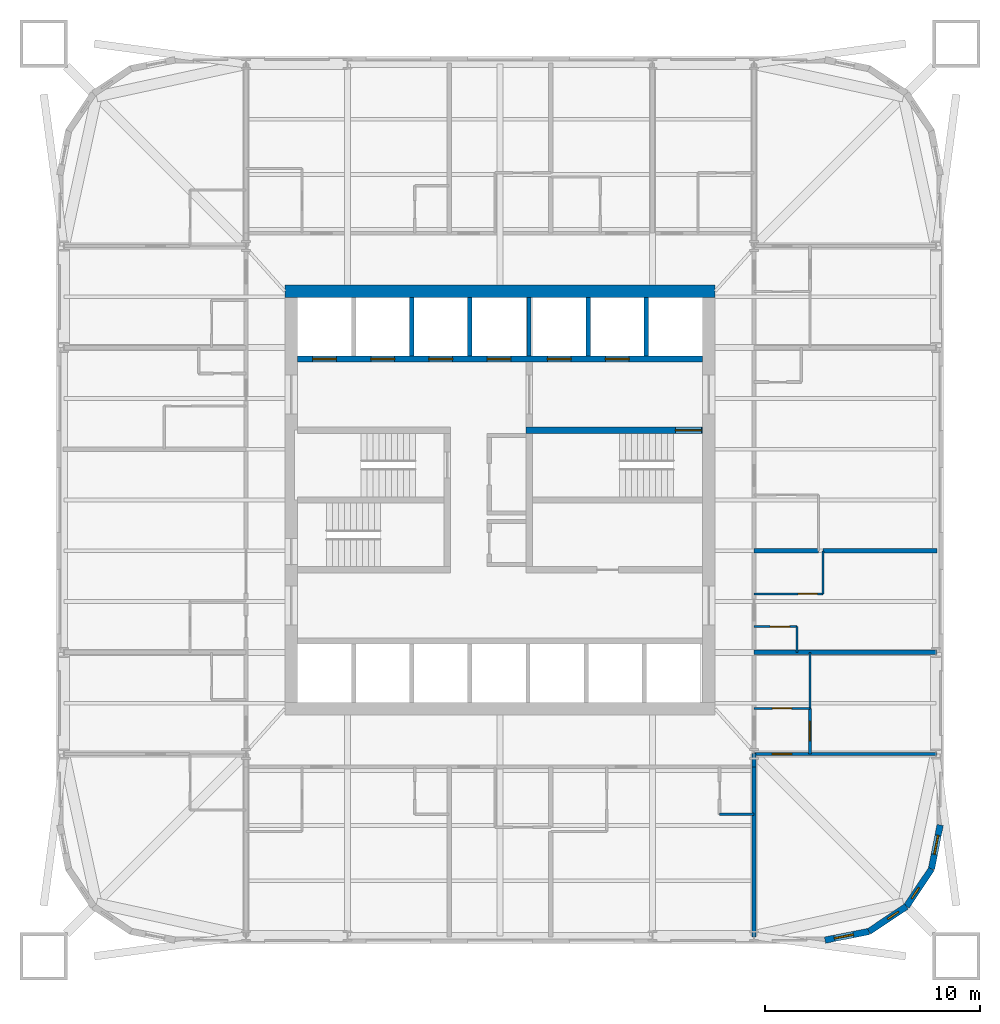
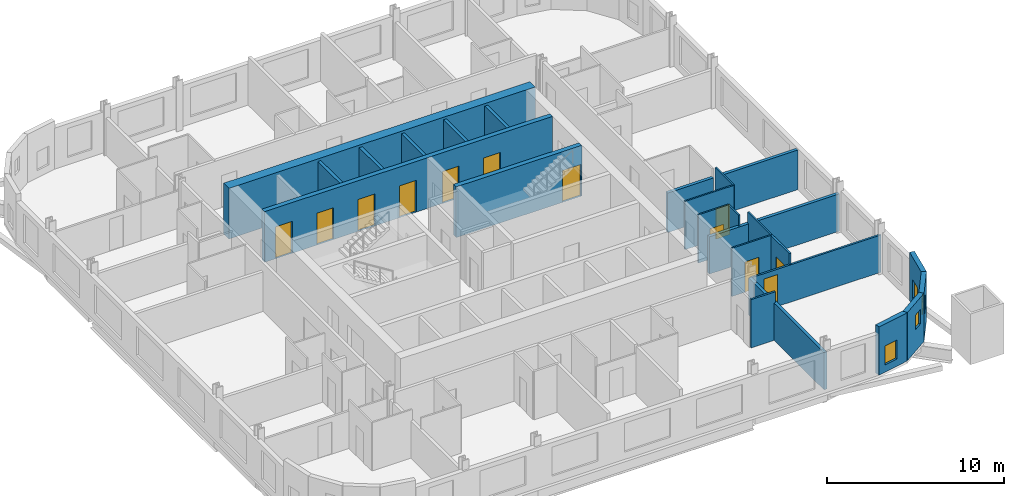
# One storey, part 5 of 9: 26 walls, 12 doors, 4 windows, 16 openings.
"""IFC4 building model written with IfcOpenShell, lengths in metres."""

from ifc_helpers import new_model, si_unit, direction, frame, frame_2d, origin, place, context, subcontext, project, spatial, rectangle, extrude, material, layer, layer_set, type_object, element, fill, save


model = new_model("IFC4")

# Units and contexts
model_context = context("Model", 3, precision=1e-05, world=origin(), true_north=direction((0.0, 1.0)))
body_context = subcontext(model_context, "Body", "Model", "MODEL_VIEW")
ifc_project = project(units=[si_unit("LENGTHUNIT", "METRE"), si_unit("AREAUNIT", "SQUARE_METRE"), si_unit("VOLUMEUNIT", "CUBIC_METRE"), si_unit("PLANEANGLEUNIT", "RADIAN"), si_unit("MASSUNIT", "GRAM", prefix="KILO")], contexts=[model_context])

# Site, building, storey
site_placement = place(None, origin())
site = spatial("IfcSite", under=ifc_project, at=site_placement, CompositionType="ELEMENT")
building_placement = place(site_placement, origin())
building = spatial("IfcBuilding", under=site, at=building_placement, Name="Turquesa Mirador Hotel Tower", CompositionType="ELEMENT")
storey_placement = place(building_placement, frame((0.0, 0.0, 96.89990234375)))
storey = spatial("IfcBuildingStorey", under=building, at=storey_placement, Name="L25", CompositionType="ELEMENT", Elevation=96.89990234375)

# Wall, opening, door
ifc_material_1 = material(Name="Gypsum board on steel studs", Category="steel")
ifc_layer_1 = layer(ifc_material_1, 0.10009765625)
ifc_layer_set_1 = layer_set([ifc_layer_1], Name="BATHROOM WALL 100")
wall_type_1 = type_object("IfcWallType", Name="BATHROOM WALL 100", PredefinedType="PARTITIONING", material=ifc_layer_set_1)
wall_1_placement = place(storey_placement, frame((66.800048828125, 40.639892578125, 0.0), z_axis=(0.0, 0.0, 1.0), x_axis=(1.0, 0.0, 0.0)))
wall_1 = element("IfcWall", 1, at=wall_1_placement, inside=storey, type_object=wall_type_1, Name="Partition L25 013", PredefinedType="PARTITIONING", context=body_context, shape_type="SweptSolid", body=[
    extrude(rectangle(XDim=3.199951171875, YDim=0.10009765625, at=frame_2d((1.60009765625, 0.0))), origin(), (0.0, 0.0, 1.0), 3.330078125),
])
opening_1_placement = place(wall_1_placement, frame((2.050048828125, 0.0, 0.0)))
opening_1 = element("IfcOpeningElement", 2, at=opening_1_placement, cuts=wall_1, Name="Opening D02", PredefinedType="OPENING", context=body_context, shape_type="SweptSolid", body=[
    extrude(rectangle(XDim=0.89990234375, YDim=2.10009765625, at=frame_2d((0.449951171875, 1.050048828125))), frame((0.0, 0.06005859375, 0.0), z_axis=(0.0, -1.0, 0.0), x_axis=(1.0, 0.0, 0.0)), (0.0, 0.0, 1.0), 0.1201171875),
])
ifc_material_2 = material(Name="Timber veneered door", Category="wood")
door_type_1 = type_object("IfcDoorType", Name="DOOR 900X2100 EN-SUITE", OperationType="SINGLE_SWING_RIGHT", PredefinedType="DOOR", material=ifc_material_2)
door_1_placement = place(opening_1_placement, origin())
door_1 = element("IfcDoor", 3, at=door_1_placement, inside=storey, type_object=door_type_1, Name="Door 2508B", OperationType="SINGLE_SWING_RIGHT", OverallHeight=2.10009765625, OverallWidth=0.89990234375, PredefinedType="DOOR", context=body_context, shape_type="SweptSolid", body=[
    extrude(rectangle(XDim=0.89990234375, YDim=2.10009765625, at=frame_2d((0.449951171875, 1.050048828125))), frame((0.0, 0.02490234375, 0.0), z_axis=(0.0, -1.0, 0.0), x_axis=(1.0, 0.0, 0.0)), (0.0, 0.0, 1.0), 0.050048828125),
])
fill(opening_1, door_1)

wall_2_placement = place(storey_placement, frame((66.800048828125, 39.1201171875, 0.0), z_axis=(0.0, 0.0, 1.0), x_axis=(1.0, 0.0, 0.0)))
wall_2 = element("IfcWall", 4, at=wall_2_placement, inside=storey, type_object=wall_type_1, Name="Partition L25 015", PredefinedType="PARTITIONING", context=body_context, shape_type="SweptSolid", body=[
    extrude(rectangle(XDim=2.0, YDim=0.10009765625, at=frame_2d((1.0, 0.0))), origin(), (0.0, 0.0, 1.0), 3.330078125),
])
opening_2_placement = place(wall_2_placement, frame((0.75, 0.0, 0.0)))
opening_2 = element("IfcOpeningElement", 5, at=opening_2_placement, cuts=wall_2, Name="Opening D06", PredefinedType="OPENING", context=body_context, shape_type="SweptSolid", body=[
    extrude(rectangle(XDim=0.89990234375, YDim=2.10009765625, at=frame_2d((0.449951171875, 1.050048828125))), frame((0.0, 0.06005859375, 0.0), z_axis=(0.0, -1.0, 0.0), x_axis=(1.0, 0.0, 0.0)), (0.0, 0.0, 1.0), 0.1201171875),
])
ifc_material_3 = material(Name="Laminate door", Category="wood")
door_type_2 = type_object("IfcDoorType", Name="DOOR 900X2100 WC", OperationType="SINGLE_SWING_LEFT", PredefinedType="DOOR", material=ifc_material_3)
door_2_placement = place(opening_2_placement, origin())
door_2 = element("IfcDoor", 6, at=door_2_placement, inside=storey, type_object=door_type_2, Name="Door 2508W", OperationType="SINGLE_SWING_LEFT", OverallHeight=2.10009765625, OverallWidth=0.89990234375, PredefinedType="DOOR", context=body_context, shape_type="SweptSolid", body=[
    extrude(rectangle(XDim=0.89990234375, YDim=2.10009765625, at=frame_2d((0.449951171875, 1.050048828125))), frame((0.0, 0.02490234375, 0.0), z_axis=(0.0, -1.0, 0.0), x_axis=(1.0, 0.0, 0.0)), (0.0, 0.0, 1.0), 0.050048828125),
])
fill(opening_2, door_2)

wall_3_placement = place(storey_placement, frame((66.800048828125, 35.320068359375, 0.0), z_axis=(0.0, 0.0, 1.0), x_axis=(1.0, 0.0, 0.0)))
wall_3 = element("IfcWall", 7, at=wall_3_placement, inside=storey, type_object=wall_type_1, Name="Partition L25 019", PredefinedType="PARTITIONING", context=body_context, shape_type="SweptSolid", body=[
    extrude(rectangle(XDim=2.599853515625, YDim=0.10009765625, at=frame_2d((1.2998046875, 0.0))), origin(), (0.0, 0.0, 1.0), 3.330078125),
])
opening_3_placement = place(wall_3_placement, frame((0.85009765625, 0.0, 0.0)))
opening_3 = element("IfcOpeningElement", 8, at=opening_3_placement, cuts=wall_3, Name="Opening D02", PredefinedType="OPENING", context=body_context, shape_type="SweptSolid", body=[
    extrude(rectangle(XDim=0.89990234375, YDim=2.10009765625, at=frame_2d((0.449951171875, 1.050048828125))), frame((0.0, 0.06005859375, 0.0), z_axis=(0.0, -1.0, 0.0), x_axis=(1.0, 0.0, 0.0)), (0.0, 0.0, 1.0), 0.1201171875),
])
door_3_placement = place(opening_3_placement, origin())
door_3 = element("IfcDoor", 9, at=door_3_placement, inside=storey, type_object=door_type_1, Name="Door 2514B", OperationType="SINGLE_SWING_RIGHT", OverallHeight=2.10009765625, OverallWidth=0.89990234375, PredefinedType="DOOR", context=body_context, shape_type="SweptSolid", body=[
    extrude(rectangle(XDim=0.89990234375, YDim=2.10009765625, at=frame_2d((0.449951171875, 1.050048828125))), frame((0.0, 0.02490234375, 0.0), z_axis=(0.0, -1.0, 0.0), x_axis=(1.0, 0.0, 0.0)), (0.0, 0.0, 1.0), 0.050048828125),
])
fill(opening_3, door_3)

# Walls
wall_4_placement = place(storey_placement, frame((68.800048828125, 37.919921875, 0.0), z_axis=(0.0, 0.0, 1.0), x_axis=(0.0, 1.0, 0.0)))
element("IfcWall", 10, at=wall_4_placement, inside=storey, type_object=wall_type_1, Name="Partition L25 061", PredefinedType="PARTITIONING", context=body_context, shape_type="SweptSolid", body=[
    extrude(rectangle(XDim=1.2001953125, YDim=0.10009765625, at=frame_2d((0.60009765625, 0.0))), origin(), (0.0, 0.0, 1.0), 3.330078125),
])
wall_5_placement = place(storey_placement, frame((69.39990234375, 35.320068359375, 0.0), z_axis=(0.0, 0.0, 1.0), x_axis=(0.0, 1.0, 0.0)))
element("IfcWall", 11, at=wall_5_placement, inside=storey, type_object=wall_type_1, Name="Partition L25 063", PredefinedType="PARTITIONING", context=body_context, shape_type="SweptSolid", body=[
    extrude(rectangle(XDim=2.599853515625, YDim=0.10009765625, at=frame_2d((1.2998046875, 0.0))), origin(), (0.0, 0.0, 1.0), 3.330078125),
])
wall_6_placement = place(storey_placement, frame((70.0, 40.639892578125, 0.0), z_axis=(0.0, 0.0, 1.0), x_axis=(0.0, 1.0, 0.0)))
element("IfcWall", 12, at=wall_6_placement, inside=storey, type_object=wall_type_1, Name="Partition L25 068", PredefinedType="PARTITIONING", context=body_context, shape_type="SweptSolid", body=[
    extrude(rectangle(XDim=2.0, YDim=0.10009765625, at=frame_2d((1.0, 0.0))), origin(), (0.0, 0.0, 1.0), 3.330078125),
])

# Wall, openings, doors
ifc_material_4 = material(Name="Concrete C50/60", Category="concrete")
ifc_layer_2 = layer(ifc_material_4, 0.300048828125)
ifc_layer_set_2 = layer_set([ifc_layer_2], Name="CORE INNER WALL 300")
wall_type_2 = type_object("IfcWallType", Name="CORE INNER WALL 300", PredefinedType="SHEAR", material=ifc_layer_set_2)
wall_7_placement = place(storey_placement, frame((45.60009765625, 51.550048828125, 0.0), z_axis=(0.0, 0.0, 1.0), x_axis=(1.0, 0.0, 0.0)))
wall_7 = element("IfcWall", 13, at=wall_7_placement, inside=storey, type_object=wall_type_2, Name="Core wall NL", PredefinedType="SHEAR", context=body_context, shape_type="SweptSolid", body=[
    extrude(rectangle(XDim=18.7998046875, YDim=0.300048828125, at=frame_2d((9.39990234375, 0.0))), origin(), (0.0, 0.0, 1.0), 3.5),
])
opening_4_placement = place(wall_7_placement, frame((0.699951171875, 0.0, 0.0)))
opening_4 = element("IfcOpeningElement", 14, at=opening_4_placement, cuts=wall_7, Name="Opening LD", PredefinedType="OPENING", context=body_context, shape_type="SweptSolid", body=[
    extrude(rectangle(XDim=1.10009765625, YDim=2.199951171875, at=frame_2d((0.550048828125, 1.10009765625))), frame((0.0, 0.159912109375, 0.0), z_axis=(0.0, -1.0, 0.0), x_axis=(1.0, 0.0, 0.0)), (0.0, 0.0, 1.0), 0.320068359375),
])
opening_5_placement = place(wall_7_placement, frame((3.39990234375, 0.0, 0.0)))
opening_5 = element("IfcOpeningElement", 15, at=opening_5_placement, cuts=wall_7, Name="Opening LD", PredefinedType="OPENING", context=body_context, shape_type="SweptSolid", body=[
    extrude(rectangle(XDim=1.10009765625, YDim=2.199951171875, at=frame_2d((0.550048828125, 1.10009765625))), frame((0.0, 0.159912109375, 0.0), z_axis=(0.0, -1.0, 0.0), x_axis=(1.0, 0.0, 0.0)), (0.0, 0.0, 1.0), 0.320068359375),
])
opening_6_placement = place(wall_7_placement, frame((6.10009765625, 0.0, 0.0)))
opening_6 = element("IfcOpeningElement", 16, at=opening_6_placement, cuts=wall_7, Name="Opening LD", PredefinedType="OPENING", context=body_context, shape_type="SweptSolid", body=[
    extrude(rectangle(XDim=1.10009765625, YDim=2.199951171875, at=frame_2d((0.550048828125, 1.10009765625))), frame((0.0, 0.159912109375, 0.0), z_axis=(0.0, -1.0, 0.0), x_axis=(1.0, 0.0, 0.0)), (0.0, 0.0, 1.0), 0.320068359375),
])
opening_7_placement = place(wall_7_placement, frame((8.800048828125, 0.0, 0.0)))
opening_7 = element("IfcOpeningElement", 17, at=opening_7_placement, cuts=wall_7, Name="Opening LD", PredefinedType="OPENING", context=body_context, shape_type="SweptSolid", body=[
    extrude(rectangle(XDim=1.10009765625, YDim=2.199951171875, at=frame_2d((0.550048828125, 1.10009765625))), frame((0.0, 0.159912109375, 0.0), z_axis=(0.0, -1.0, 0.0), x_axis=(1.0, 0.0, 0.0)), (0.0, 0.0, 1.0), 0.320068359375),
])
opening_8_placement = place(wall_7_placement, frame((11.60009765625, 0.0, 0.0)))
opening_8 = element("IfcOpeningElement", 18, at=opening_8_placement, cuts=wall_7, Name="Opening LD", PredefinedType="OPENING", context=body_context, shape_type="SweptSolid", body=[
    extrude(rectangle(XDim=1.10009765625, YDim=2.199951171875, at=frame_2d((0.550048828125, 1.10009765625))), frame((0.0, 0.159912109375, 0.0), z_axis=(0.0, -1.0, 0.0), x_axis=(1.0, 0.0, 0.0)), (0.0, 0.0, 1.0), 0.320068359375),
])
opening_9_placement = place(wall_7_placement, frame((14.300048828125, 0.0, 0.0)))
opening_9 = element("IfcOpeningElement", 19, at=opening_9_placement, cuts=wall_7, Name="Opening LD", PredefinedType="OPENING", context=body_context, shape_type="SweptSolid", body=[
    extrude(rectangle(XDim=1.10009765625, YDim=2.199951171875, at=frame_2d((0.550048828125, 1.10009765625))), frame((0.0, 0.159912109375, 0.0), z_axis=(0.0, -1.0, 0.0), x_axis=(1.0, 0.0, 0.0)), (0.0, 0.0, 1.0), 0.320068359375),
])
ifc_material_5 = material(Name="Stainless steel lift landing door", Category="steel")
door_type_3 = type_object("IfcDoorType", Name="LIFT LANDING DOOR 1100X2200", OperationType="SLIDING_TO_LEFT", PredefinedType="DOOR", material=ifc_material_5)
door_4_placement = place(opening_4_placement, origin())
door_4 = element("IfcDoor", 20, at=door_4_placement, inside=storey, type_object=door_type_3, Name="Lift A1 landing door", OperationType="SLIDING_TO_LEFT", OverallHeight=2.199951171875, OverallWidth=1.10009765625, PredefinedType="DOOR", context=body_context, shape_type="SweptSolid", body=[
    extrude(rectangle(XDim=1.10009765625, YDim=2.199951171875, at=frame_2d((0.550048828125, 1.10009765625))), frame((0.0, 0.02490234375, 0.0), z_axis=(0.0, -1.0, 0.0), x_axis=(1.0, 0.0, 0.0)), (0.0, 0.0, 1.0), 0.050048828125),
])
fill(opening_4, door_4)
door_5_placement = place(opening_5_placement, origin())
door_5 = element("IfcDoor", 21, at=door_5_placement, inside=storey, type_object=door_type_3, Name="Lift A2 landing door", OperationType="SLIDING_TO_LEFT", OverallHeight=2.199951171875, OverallWidth=1.10009765625, PredefinedType="DOOR", context=body_context, shape_type="SweptSolid", body=[
    extrude(rectangle(XDim=1.10009765625, YDim=2.199951171875, at=frame_2d((0.550048828125, 1.10009765625))), frame((0.0, 0.02490234375, 0.0), z_axis=(0.0, -1.0, 0.0), x_axis=(1.0, 0.0, 0.0)), (0.0, 0.0, 1.0), 0.050048828125),
])
fill(opening_5, door_5)
door_6_placement = place(opening_6_placement, origin())
door_6 = element("IfcDoor", 22, at=door_6_placement, inside=storey, type_object=door_type_3, Name="Lift A3 landing door", OperationType="SLIDING_TO_LEFT", OverallHeight=2.199951171875, OverallWidth=1.10009765625, PredefinedType="DOOR", context=body_context, shape_type="SweptSolid", body=[
    extrude(rectangle(XDim=1.10009765625, YDim=2.199951171875, at=frame_2d((0.550048828125, 1.10009765625))), frame((0.0, 0.02490234375, 0.0), z_axis=(0.0, -1.0, 0.0), x_axis=(1.0, 0.0, 0.0)), (0.0, 0.0, 1.0), 0.050048828125),
])
fill(opening_6, door_6)
door_7_placement = place(opening_7_placement, origin())
door_7 = element("IfcDoor", 23, at=door_7_placement, inside=storey, type_object=door_type_3, Name="Lift A4 landing door", OperationType="SLIDING_TO_LEFT", OverallHeight=2.199951171875, OverallWidth=1.10009765625, PredefinedType="DOOR", context=body_context, shape_type="SweptSolid", body=[
    extrude(rectangle(XDim=1.10009765625, YDim=2.199951171875, at=frame_2d((0.550048828125, 1.10009765625))), frame((0.0, 0.02490234375, 0.0), z_axis=(0.0, -1.0, 0.0), x_axis=(1.0, 0.0, 0.0)), (0.0, 0.0, 1.0), 0.050048828125),
])
fill(opening_7, door_7)
door_8_placement = place(opening_8_placement, origin())
door_8 = element("IfcDoor", 24, at=door_8_placement, inside=storey, type_object=door_type_3, Name="Lift S1 landing door", OperationType="SLIDING_TO_LEFT", OverallHeight=2.199951171875, OverallWidth=1.10009765625, PredefinedType="DOOR", context=body_context, shape_type="SweptSolid", body=[
    extrude(rectangle(XDim=1.10009765625, YDim=2.199951171875, at=frame_2d((0.550048828125, 1.10009765625))), frame((0.0, 0.02490234375, 0.0), z_axis=(0.0, -1.0, 0.0), x_axis=(1.0, 0.0, 0.0)), (0.0, 0.0, 1.0), 0.050048828125),
])
fill(opening_8, door_8)
door_9_placement = place(opening_9_placement, origin())
door_9 = element("IfcDoor", 25, at=door_9_placement, inside=storey, type_object=door_type_3, Name="Lift S2 landing door", OperationType="SLIDING_TO_LEFT", OverallHeight=2.199951171875, OverallWidth=1.10009765625, PredefinedType="DOOR", context=body_context, shape_type="SweptSolid", body=[
    extrude(rectangle(XDim=1.10009765625, YDim=2.199951171875, at=frame_2d((0.550048828125, 1.10009765625))), frame((0.0, 0.02490234375, 0.0), z_axis=(0.0, -1.0, 0.0), x_axis=(1.0, 0.0, 0.0)), (0.0, 0.0, 1.0), 0.050048828125),
])
fill(opening_9, door_9)

# Wall, opening, door
wall_8_placement = place(storey_placement, frame((56.199951171875, 48.25, 0.0), z_axis=(0.0, 0.0, 1.0), x_axis=(1.0, 0.0, 0.0)))
wall_8 = element("IfcWall", 26, at=wall_8_placement, inside=storey, type_object=wall_type_2, Name="Core wall MN-E", PredefinedType="SHEAR", context=body_context, shape_type="SweptSolid", body=[
    extrude(rectangle(XDim=8.199951171875, YDim=0.300048828125, at=frame_2d((4.10009765625, 0.0))), origin(), (0.0, 0.0, 1.0), 3.5),
])
opening_10_placement = place(wall_8_placement, frame((6.949951171875, 0.0, 0.0)))
opening_10 = element("IfcOpeningElement", 27, at=opening_10_placement, cuts=wall_8, Name="Opening D03", PredefinedType="OPENING", context=body_context, shape_type="SweptSolid", body=[
    extrude(rectangle(XDim=1.199951171875, YDim=2.199951171875, at=frame_2d((0.60009765625, 1.10009765625))), frame((0.0, 0.159912109375, 0.0), z_axis=(0.0, -1.0, 0.0), x_axis=(1.0, 0.0, 0.0)), (0.0, 0.0, 1.0), 0.320068359375),
])
ifc_material_6 = material(Name="Steel fire door", Category="steel")
door_type_4 = type_object("IfcDoorType", Name="DOOR 1200X2200 STAIR", OperationType="SINGLE_SWING_LEFT", PredefinedType="DOOR", material=ifc_material_6)
door_10_placement = place(opening_10_placement, origin())
door_10 = element("IfcDoor", 28, at=door_10_placement, inside=storey, type_object=door_type_4, Name="Stair ST3 door", OperationType="SINGLE_SWING_LEFT", OverallHeight=2.199951171875, OverallWidth=1.199951171875, PredefinedType="DOOR", context=body_context, shape_type="SweptSolid", body=[
    extrude(rectangle(XDim=1.199951171875, YDim=2.199951171875, at=frame_2d((0.60009765625, 1.10009765625))), frame((0.0, 0.02490234375, 0.0), z_axis=(0.0, -1.0, 0.0), x_axis=(1.0, 0.0, 0.0)), (0.0, 0.0, 1.0), 0.050048828125),
])
fill(opening_10, door_10)

# Walls
ifc_material_7 = material(Name="Concrete C50/60", Category="concrete")
ifc_layer_3 = layer(ifc_material_7, 0.60009765625)
ifc_layer_set_3 = layer_set([ifc_layer_3], Name="CORE WALL 600")
wall_type_3 = type_object("IfcWallType", Name="CORE WALL 600", PredefinedType="SHEAR", material=ifc_layer_set_3)
wall_9_placement = place(storey_placement, frame((45.0, 54.699951171875, 0.0), z_axis=(0.0, 0.0, 1.0), x_axis=(1.0, 0.0, 0.0)))
element("IfcWall", 29, at=wall_9_placement, inside=storey, type_object=wall_type_3, Name="Core wall N", PredefinedType="SHEAR", context=body_context, shape_type="SweptSolid", body=[
    extrude(rectangle(XDim=20.0, YDim=0.60009765625, at=frame_2d((10.0, 0.0))), origin(), (0.0, 0.0, 1.0), 3.5),
])
ifc_material_8 = material(Name="Fire-rated gypsum board on steel studs", Category="steel")
ifc_layer_4 = layer(ifc_material_8, 0.199951171875)
ifc_layer_set_4 = layer_set([ifc_layer_4], Name="CORRIDOR WALL 200")
wall_type_4 = type_object("IfcWallType", Name="CORRIDOR WALL 200", PredefinedType="PARTITIONING", material=ifc_layer_set_4)
wall_10_placement = place(storey_placement, frame((66.800048828125, 32.60009765625, 0.0), z_axis=(0.0, 0.0, 1.0), x_axis=(0.0, 1.0, 0.0)))
element("IfcWall", 30, at=wall_10_placement, inside=storey, type_object=wall_type_4, Name="Partition L25 079", PredefinedType="PARTITIONING", context=body_context, shape_type="SweptSolid", body=[
    extrude(rectangle(XDim=0.619873046875, YDim=0.199951171875, at=frame_2d((0.31005859375, 0.0))), origin(), (0.0, 0.0, 1.0), 2.5732421875),
])

# Wall, opening, window
ifc_material_9 = material(Name="Limestone cladding on concrete block", Category="masonry")
ifc_layer_5 = layer(ifc_material_9, 0.300048828125)
ifc_layer_set_5 = layer_set([ifc_layer_5], Name="FACADE WALL 300 STONE SCREEN")
wall_type_5 = type_object("IfcWallType", Name="FACADE WALL 300 STONE SCREEN", PredefinedType="SOLIDWALL", material=ifc_layer_set_5)
wall_11_placement = place(storey_placement, frame((70.10009765625, 24.550048828125, 0.0), z_axis=(0.0, 0.0, 1.0), x_axis=(0.980787050784, 0.195081421501, 0.0)))
wall_11 = element("IfcWall", 31, at=wall_11_placement, inside=storey, type_object=wall_type_5, Name="Facade wall L25 00", PredefinedType="SOLIDWALL", context=body_context, shape_type="SweptSolid", body=[
    extrude(rectangle(XDim=2.08740234375, YDim=0.300048828125, at=frame_2d((1.043701171875, 0.0))), origin(), (0.0, 0.0, 1.0), 3.330078125),
])
opening_11_placement = place(wall_11_placement, frame((0.443603515625, 0.0, 0.5)))
opening_11 = element("IfcOpeningElement", 32, at=opening_11_placement, cuts=wall_11, Name="Opening WN21", PredefinedType="OPENING", context=body_context, shape_type="SweptSolid", body=[
    extrude(rectangle(XDim=0.89990234375, YDim=1.300048828125, at=frame_2d((0.449951171875, 0.64990234375))), frame((0.0, 0.159912109375, 0.0), z_axis=(0.0, -1.0, 0.0), x_axis=(1.0, 0.0, 0.0)), (0.0, 0.0, 1.0), 0.320068359375),
])
ifc_material_10 = material(Name="Ceramic-fritted laminated glass", Category="glass")
window_type_1 = type_object("IfcWindowType", Name="FRITTED CORNER WINDOW 900X1300", PartitioningType="DOUBLE_PANEL_HORIZONTAL", PredefinedType="WINDOW", material=ifc_material_10)
window_1_placement = place(opening_11_placement, origin())
window_1 = element("IfcWindow", 33, at=window_1_placement, inside=storey, type_object=window_type_1, Name="Window L25", OverallHeight=1.300048828125, OverallWidth=0.89990234375, PartitioningType="SINGLE_PANEL", PredefinedType="WINDOW", context=body_context, shape_type="SweptSolid", body=[
    extrude(rectangle(XDim=0.89990234375, YDim=1.300048828125, at=frame_2d((0.449951171875, 0.64990234375))), frame((0.0, 0.030029296875, 0.0), z_axis=(0.0, -1.0, 0.0), x_axis=(1.0, 0.0, 0.0)), (0.0, 0.0, 1.0), 0.06005859375),
])
fill(opening_11, window_1)

wall_12_placement = place(storey_placement, frame((72.1474609375, 24.957275390625, 0.0), z_axis=(0.0, 0.0, 1.0), x_axis=(0.831474039234, 0.555563607591, 0.0)))
wall_12 = element("IfcWall", 34, at=wall_12_placement, inside=storey, type_object=wall_type_5, Name="Facade wall L25 01", PredefinedType="SOLIDWALL", context=body_context, shape_type="SweptSolid", body=[
    extrude(rectangle(XDim=2.08740234375, YDim=0.300048828125, at=frame_2d((1.043701171875, 0.0))), origin(), (0.0, 0.0, 1.0), 3.330078125),
])
opening_12_placement = place(wall_12_placement, frame((1.043701171875, 0.0, 1.5)))
opening_12 = element("IfcOpeningElement", 35, at=opening_12_placement, cuts=wall_12, Name="Opening WN11", PredefinedType="OPENING", context=body_context, shape_type="SweptSolid", body=[
    extrude(rectangle(XDim=0.60009765625, YDim=1.0, at=frame_2d((0.300048828125, 0.5))), frame((0.0, 0.159912109375, 0.0), z_axis=(0.0, -1.0, 0.0), x_axis=(1.0, 0.0, 0.0)), (0.0, 0.0, 1.0), 0.320068359375),
])
ifc_material_11 = material(Name="Ceramic-fritted laminated glass", Category="glass")
window_type_2 = type_object("IfcWindowType", Name="FRITTED CORNER WINDOW 600X1000", PartitioningType="DOUBLE_PANEL_HORIZONTAL", PredefinedType="WINDOW", material=ifc_material_11)
window_2_placement = place(opening_12_placement, origin())
window_2 = element("IfcWindow", 36, at=window_2_placement, inside=storey, type_object=window_type_2, Name="Window L25", OverallHeight=1.0, OverallWidth=0.60009765625, PartitioningType="SINGLE_PANEL", PredefinedType="WINDOW", context=body_context, shape_type="SweptSolid", body=[
    extrude(rectangle(XDim=0.60009765625, YDim=1.0, at=frame_2d((0.300048828125, 0.5))), frame((0.0, 0.030029296875, 0.0), z_axis=(0.0, -1.0, 0.0), x_axis=(1.0, 0.0, 0.0)), (0.0, 0.0, 1.0), 0.06005859375),
])
fill(opening_12, window_2)

wall_13_placement = place(storey_placement, frame((73.883056640625, 26.116943359375, 0.0), z_axis=(0.0, 0.0, 1.0), x_axis=(0.555563607591, 0.831474039234, 0.0)))
wall_13 = element("IfcWall", 37, at=wall_13_placement, inside=storey, type_object=wall_type_5, Name="Facade wall L25 02", PredefinedType="SOLIDWALL", context=body_context, shape_type="SweptSolid", body=[
    extrude(rectangle(XDim=2.08740234375, YDim=0.300048828125, at=frame_2d((1.043701171875, 0.0))), origin(), (0.0, 0.0, 1.0), 3.330078125),
])
opening_13_placement = place(wall_13_placement, frame((0.443603515625, 0.0, 1.5)))
opening_13 = element("IfcOpeningElement", 38, at=opening_13_placement, cuts=wall_13, Name="Opening WN11", PredefinedType="OPENING", context=body_context, shape_type="SweptSolid", body=[
    extrude(rectangle(XDim=0.60009765625, YDim=1.0, at=frame_2d((0.300048828125, 0.5))), frame((0.0, 0.159912109375, 0.0), z_axis=(0.0, -1.0, 0.0), x_axis=(1.0, 0.0, 0.0)), (0.0, 0.0, 1.0), 0.320068359375),
])
window_3_placement = place(opening_13_placement, origin())
window_3 = element("IfcWindow", 39, at=window_3_placement, inside=storey, type_object=window_type_2, Name="Window L25", OverallHeight=1.0, OverallWidth=0.60009765625, PartitioningType="SINGLE_PANEL", PredefinedType="WINDOW", context=body_context, shape_type="SweptSolid", body=[
    extrude(rectangle(XDim=0.60009765625, YDim=1.0, at=frame_2d((0.300048828125, 0.5))), frame((0.0, 0.030029296875, 0.0), z_axis=(0.0, -1.0, 0.0), x_axis=(1.0, 0.0, 0.0)), (0.0, 0.0, 1.0), 0.06005859375),
])
fill(opening_13, window_3)

wall_14_placement = place(storey_placement, frame((75.042724609375, 27.8525390625, 0.0), z_axis=(0.0, 0.0, 1.0), x_axis=(0.195081421501, 0.980787050784, 0.0)))
wall_14 = element("IfcWall", 40, at=wall_14_placement, inside=storey, type_object=wall_type_5, Name="Facade wall L25 03", PredefinedType="SOLIDWALL", context=body_context, shape_type="SweptSolid", body=[
    extrude(rectangle(XDim=2.08740234375, YDim=0.300048828125, at=frame_2d((1.043701171875, 0.0))), origin(), (0.0, 0.0, 1.0), 3.330078125),
])
opening_14_placement = place(wall_14_placement, frame((0.693603515625, 0.0, 0.5)))
opening_14 = element("IfcOpeningElement", 41, at=opening_14_placement, cuts=wall_14, Name="Opening WN21", PredefinedType="OPENING", context=body_context, shape_type="SweptSolid", body=[
    extrude(rectangle(XDim=0.89990234375, YDim=1.300048828125, at=frame_2d((0.449951171875, 0.64990234375))), frame((0.0, 0.159912109375, 0.0), z_axis=(0.0, -1.0, 0.0), x_axis=(1.0, 0.0, 0.0)), (0.0, 0.0, 1.0), 0.320068359375),
])
window_4_placement = place(opening_14_placement, origin())
window_4 = element("IfcWindow", 42, at=window_4_placement, inside=storey, type_object=window_type_1, Name="Window L25", OverallHeight=1.300048828125, OverallWidth=0.89990234375, PartitioningType="SINGLE_PANEL", PredefinedType="WINDOW", context=body_context, shape_type="SweptSolid", body=[
    extrude(rectangle(XDim=0.89990234375, YDim=1.300048828125, at=frame_2d((0.449951171875, 0.64990234375))), frame((0.0, 0.030029296875, 0.0), z_axis=(0.0, -1.0, 0.0), x_axis=(1.0, 0.0, 0.0)), (0.0, 0.0, 1.0), 0.06005859375),
])
fill(opening_14, window_4)

# Walls
ifc_material_12 = material(Name="Fire-rated gypsum shaft wall on steel studs", Category="steel")
ifc_layer_6 = layer(ifc_material_12, 0.199951171875)
ifc_layer_set_6 = layer_set([ifc_layer_6], Name="LIFT SHAFT DIVIDER 200")
wall_type_6 = type_object("IfcWallType", Name="LIFT SHAFT DIVIDER 200", PredefinedType="PARTITIONING", material=ifc_layer_set_6)
for number, where, z_axis, x_axis, name in (
    (43, (50.89990234375, 51.699951171875, 0.0), (0.0, 0.0, 1.0), (0.0, 1.0, 0.0), "Lift shaft divider"),
    (44, (53.60009765625, 51.699951171875, 0.0), (0.0, 0.0, 1.0), (0.0, 1.0, 0.0), "Lift shaft divider"),
    (45, (59.10009765625, 51.699951171875, 0.0), (0.0, 0.0, 1.0), (0.0, 1.0, 0.0), "Lift shaft divider"),
    (46, (61.800048828125, 51.699951171875, 0.0), (0.0, 0.0, 1.0), (0.0, 1.0, 0.0), "Lift shaft divider"),
    (47, (56.35009765625, 51.699951171875, 0.0), (0.0, 0.0, 1.0), (0.0, 1.0, 0.0), "Lift shaft divider"),
):
    element("IfcWall", number, at=place(storey_placement, frame(where, z_axis=z_axis, x_axis=x_axis)), inside=storey, type_object=wall_type_6, Name=name, PredefinedType="PARTITIONING", context=body_context, shape_type="SweptSolid", body=[
        extrude(rectangle(XDim=2.699951171875, YDim=0.199951171875, at=frame_2d((1.35009765625, 0.0))), origin(), (0.0, 0.0, 1.0), 3.330078125),
    ])
ifc_material_13 = material(Name="Fire-rated gypsum board on steel studs", Category="steel")
ifc_layer_7 = layer(ifc_material_13, 0.199951171875)
ifc_layer_set_7 = layer_set([ifc_layer_7], Name="PARTY WALL 200")
wall_type_7 = type_object("IfcWallType", Name="PARTY WALL 200", PredefinedType="PARTITIONING", material=ifc_layer_set_7)
wall_15_placement = place(storey_placement, frame((66.800048828125, 42.639892578125, 0.0), z_axis=(0.0, 0.0, 1.0), x_axis=(1.0, 0.0, 0.0)))
element("IfcWall", 48, at=wall_15_placement, inside=storey, type_object=wall_type_7, Name="Partition L25 011", PredefinedType="PARTITIONING", context=body_context, shape_type="SweptSolid", body=[
    extrude(rectangle(XDim=3.0, YDim=0.199951171875, at=frame_2d((1.5, 0.0))), origin(), (0.0, 0.0, 1.0), 2.730712890625),
])
wall_16_placement = place(storey_placement, frame((70.0, 42.639892578125, 0.0), z_axis=(0.0, 0.0, 1.0), x_axis=(1.0, 0.0, 0.0)))
element("IfcWall", 49, at=wall_16_placement, inside=storey, type_object=wall_type_7, Name="Partition L25 012", PredefinedType="PARTITIONING", context=body_context, shape_type="SweptSolid", body=[
    extrude(rectangle(XDim=5.300048828125, YDim=0.199951171875, at=frame_2d((2.64990234375, 0.0))), origin(), (0.0, 0.0, 1.0), 2.730712890625),
])
wall_17_placement = place(storey_placement, frame((66.800048828125, 37.919921875, 0.0), z_axis=(0.0, 0.0, 1.0), x_axis=(1.0, 0.0, 0.0)))
element("IfcWall", 50, at=wall_17_placement, inside=storey, type_object=wall_type_7, Name="Partition L25 017", PredefinedType="PARTITIONING", context=body_context, shape_type="SweptSolid", body=[
    extrude(rectangle(XDim=8.5, YDim=0.199951171875, at=frame_2d((4.25, 0.0))), origin(), (0.0, 0.0, 1.0), 2.5732421875),
])
wall_18_placement = place(storey_placement, frame((66.800048828125, 24.699951171875, 0.0), z_axis=(0.0, 0.0, 1.0), x_axis=(0.0, 1.0, 0.0)))
element("IfcWall", 51, at=wall_18_placement, inside=storey, type_object=wall_type_7, Name="Partition L25 059", PredefinedType="PARTITIONING", context=body_context, shape_type="SweptSolid", body=[
    extrude(rectangle(XDim=7.900146484375, YDim=0.199951171875, at=frame_2d((3.9501953125, 0.0))), origin(), (0.0, 0.0, 1.0), 2.5732421875),
])

# Wall, opening, door
ifc_material_14 = material(Name="Acoustic gypsum board on steel studs", Category="steel")
ifc_layer_8 = layer(ifc_material_14, 0.125)
ifc_layer_set_8 = layer_set([ifc_layer_8], Name="SUITE PARTITION 125")
wall_type_8 = type_object("IfcWallType", Name="SUITE PARTITION 125", PredefinedType="PARTITIONING", material=ifc_layer_set_8)
wall_19_placement = place(storey_placement, frame((66.800048828125, 33.199951171875, 0.0), z_axis=(0.0, 0.0, 1.0), x_axis=(1.0, 0.0, 0.0)))
wall_19 = element("IfcWall", 52, at=wall_19_placement, inside=storey, type_object=wall_type_8, Name="Partition L25 003", PredefinedType="PARTITIONING", context=body_context, shape_type="SweptSolid", body=[
    extrude(rectangle(XDim=8.5, YDim=0.125, at=frame_2d((4.25, 0.0))), origin(), (0.0, 0.0, 1.0), 2.5732421875),
])
opening_15_placement = place(wall_19_placement, frame((0.85009765625, 0.0, 0.0)))
opening_15 = element("IfcOpeningElement", 53, at=opening_15_placement, cuts=wall_19, Name="Opening D17", PredefinedType="OPENING", context=body_context, shape_type="SweptSolid", body=[
    extrude(rectangle(XDim=0.89990234375, YDim=2.199951171875, at=frame_2d((0.449951171875, 1.10009765625))), frame((0.0, 0.072509765625, 0.0), z_axis=(0.0, -1.0, 0.0), x_axis=(1.0, 0.0, 0.0)), (0.0, 0.0, 1.0), 0.14501953125),
])
ifc_material_15 = material(Name="Timber veneered door", Category="wood")
door_type_5 = type_object("IfcDoorType", Name="DOOR 900X2200 SUITE INTERNAL", OperationType="SINGLE_SWING_LEFT", PredefinedType="DOOR", material=ifc_material_15)
door_11_placement = place(opening_15_placement, origin())
door_11 = element("IfcDoor", 54, at=door_11_placement, inside=storey, type_object=door_type_5, Name="Door 2514", OperationType="SINGLE_SWING_LEFT", OverallHeight=2.199951171875, OverallWidth=0.89990234375, PredefinedType="DOOR", context=body_context, shape_type="SweptSolid", body=[
    extrude(rectangle(XDim=0.89990234375, YDim=2.199951171875, at=frame_2d((0.449951171875, 1.10009765625))), frame((0.0, 0.02490234375, 0.0), z_axis=(0.0, -1.0, 0.0), x_axis=(1.0, 0.0, 0.0)), (0.0, 0.0, 1.0), 0.050048828125),
])
fill(opening_15, door_11)

# Wall
wall_20_placement = place(storey_placement, frame((65.199951171875, 30.39990234375, 0.0), z_axis=(0.0, 0.0, 1.0), x_axis=(1.0, 0.0, 0.0)))
element("IfcWall", 55, at=wall_20_placement, inside=storey, type_object=wall_type_8, Name="Partition L25 007", PredefinedType="PARTITIONING", context=body_context, shape_type="SweptSolid", body=[
    extrude(rectangle(XDim=1.60009765625, YDim=0.125, at=frame_2d((0.800048828125, 0.0))), origin(), (0.0, 0.0, 1.0), 3.330078125),
])

# Wall, opening, door
wall_21_placement = place(storey_placement, frame((69.39990234375, 33.199951171875, 0.0), z_axis=(0.0, 0.0, 1.0), x_axis=(0.0, 1.0, 0.0)))
wall_21 = element("IfcWall", 56, at=wall_21_placement, inside=storey, type_object=wall_type_8, Name="Partition L25 065", PredefinedType="PARTITIONING", context=body_context, shape_type="SweptSolid", body=[
    extrude(rectangle(XDim=2.1201171875, YDim=0.125, at=frame_2d((1.06005859375, 0.0))), origin(), (0.0, 0.0, 1.0), 3.330078125),
])
opening_16_placement = place(wall_21_placement, frame((0.610107421875, 0.0, 0.0)))
opening_16 = element("IfcOpeningElement", 57, at=opening_16_placement, cuts=wall_21, Name="Opening D17", PredefinedType="OPENING", context=body_context, shape_type="SweptSolid", body=[
    extrude(rectangle(XDim=0.89990234375, YDim=2.199951171875, at=frame_2d((0.449951171875, 1.10009765625))), frame((0.0, 0.072509765625, 0.0), z_axis=(0.0, -1.0, 0.0), x_axis=(1.0, 0.0, 0.0)), (0.0, 0.0, 1.0), 0.14501953125),
])
door_12_placement = place(opening_16_placement, origin())
door_12 = element("IfcDoor", 58, at=door_12_placement, inside=storey, type_object=door_type_5, Name="Door 2514R", OperationType="SINGLE_SWING_LEFT", OverallHeight=2.199951171875, OverallWidth=0.89990234375, PredefinedType="DOOR", context=body_context, shape_type="SweptSolid", body=[
    extrude(rectangle(XDim=0.89990234375, YDim=2.199951171875, at=frame_2d((0.449951171875, 1.10009765625))), frame((0.0, 0.02490234375, 0.0), z_axis=(0.0, -1.0, 0.0), x_axis=(1.0, 0.0, 0.0)), (0.0, 0.0, 1.0), 0.050048828125),
])
fill(opening_16, door_12)

save(model, "model.ifc")
